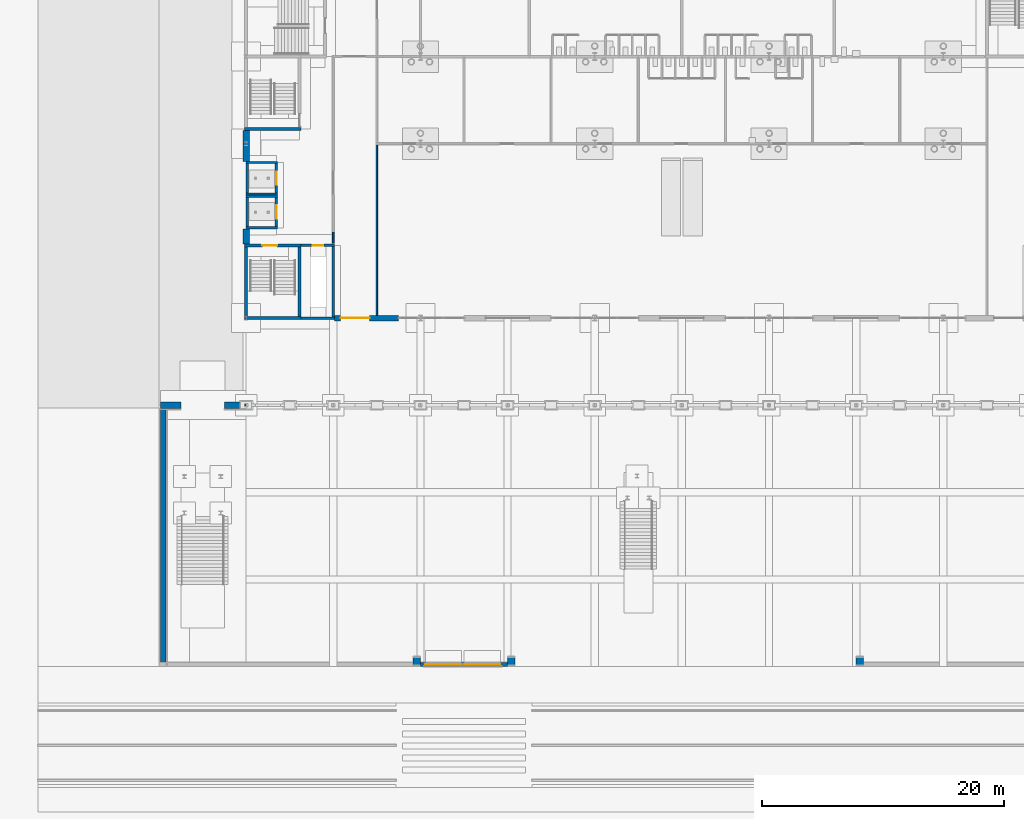
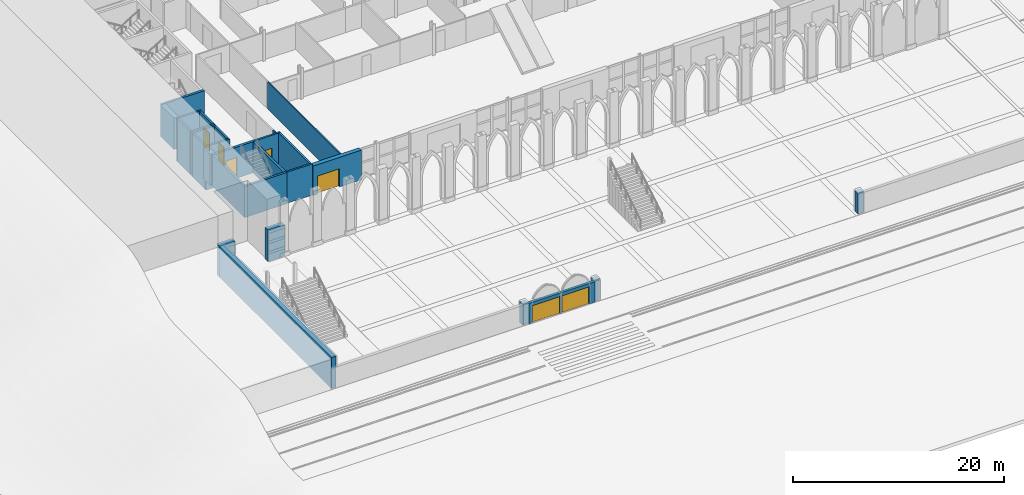
# One storey, part 75 of 148: 28 walls, 7 doors, 7 openings.
"""IFC4 building model written with IfcOpenShell, lengths in metres."""

from ifc_helpers import new_model, si_unit, direction, frame, frame_2d, origin, place, context, subcontext, project, spatial, rectangle, extrude, material, layer, layer_set, type_object, element, fill, save


model = new_model("IFC4")

# Units and contexts
model_context = context("Model", 3, precision=1e-05, world=origin(), true_north=direction((0.0, 1.0)))
body_context = subcontext(model_context, "Body", "Model", "MODEL_VIEW")
ifc_project = project(units=[si_unit("LENGTHUNIT", "METRE"), si_unit("AREAUNIT", "SQUARE_METRE"), si_unit("VOLUMEUNIT", "CUBIC_METRE"), si_unit("PLANEANGLEUNIT", "RADIAN"), si_unit("MASSUNIT", "GRAM", prefix="KILO")], contexts=[model_context])

# Site, building, storey
site_placement = place(None, origin())
site = spatial("IfcSite", under=ifc_project, at=site_placement, CompositionType="ELEMENT")
building_placement = place(site_placement, origin())
building = spatial("IfcBuilding", under=site, at=building_placement, Name="Kupolbacken Congress Centre", CompositionType="ELEMENT")
storey_placement = place(building_placement, origin())
storey = spatial("IfcBuildingStorey", under=building, at=storey_placement, Name="L00", CompositionType="ELEMENT", Elevation=0.0)

# Wall, openings, doors
ifc_material_1 = material(Name="Brick", Category="masonry")
ifc_layer_1 = layer(ifc_material_1, 0.10791015625)
ifc_material_2 = material(Name="Concrete block", Category="masonry")
ifc_layer_2 = layer(ifc_material_2, 0.19189453125)
ifc_layer_set_1 = layer_set([ifc_layer_1, ifc_layer_2], Name="Brick / Concrete block")
wall_type_1 = type_object("IfcWallType", Name="BW1 boundary wall 300", PredefinedType="SOLIDWALL", material=ifc_layer_set_1)
wall_1_placement = place(storey_placement, frame((21.60009765625, 0.175048828125, 0.0), z_axis=(0.0, 0.0, 1.0), x_axis=(1.0, 0.0, 0.0)))
wall_1 = element("IfcWall", 1, at=wall_1_placement, inside=storey, type_object=wall_type_1, Name="Boundary wall at gate CV1", PredefinedType="SOLIDWALL", context=body_context, shape_type="SweptSolid", body=[
    extrude(rectangle(XDim=7.199951171875, YDim=0.300048828125, at=frame_2d((3.60009765625, 0.0))), origin(), (0.0, 0.0, 1.0), 2.39990234375),
])
opening_1_placement = place(wall_1_placement, frame((0.39990234375, 0.0, 0.0)))
opening_1 = element("IfcOpeningElement", 2, at=opening_1_placement, cuts=wall_1, Name="Opening D42", PredefinedType="OPENING", context=body_context, shape_type="SweptSolid", body=[
    extrude(rectangle(XDim=3.0, YDim=2.0, at=frame_2d((1.5, 1.0))), frame((0.0, 0.159912109375, 0.0), z_axis=(0.0, -1.0, 0.0), x_axis=(1.0, 0.0, 0.0)), (0.0, 0.0, 1.0), 0.320068359375),
])
opening_2_placement = place(wall_1_placement, frame((3.60009765625, 0.0, 0.0)))
opening_2 = element("IfcOpeningElement", 3, at=opening_2_placement, cuts=wall_1, Name="Opening D42", PredefinedType="OPENING", context=body_context, shape_type="SweptSolid", body=[
    extrude(rectangle(XDim=3.0, YDim=2.0, at=frame_2d((1.5, 1.0))), frame((0.0, 0.159912109375, 0.0), z_axis=(0.0, -1.0, 0.0), x_axis=(1.0, 0.0, 0.0)), (0.0, 0.0, 1.0), 0.320068359375),
])
ifc_material_3 = material(Name="Galvanised steel gate", Category="steel")
door_type_1 = type_object("IfcDoorType", Name="D42 pedestrian gate 3000x2000", OperationType="DOUBLE_DOOR_SINGLE_SWING", PredefinedType="GATE", material=ifc_material_3)
door_1_placement = place(opening_1_placement, frame((3.0, 0.0, 0.0), z_axis=(0.0, 0.0, 1.0), x_axis=(-1.0, 0.0, 0.0)))
door_1 = element("IfcDoor", 4, at=door_1_placement, inside=storey, type_object=door_type_1, Name="Boundary vehicle gate CV1 leaf A", OperationType="DOUBLE_DOOR_SINGLE_SWING", OverallHeight=2.0, OverallWidth=3.0, PredefinedType="GATE", context=body_context, shape_type="SweptSolid", body=[
    extrude(rectangle(XDim=3.0, YDim=2.0, at=frame_2d((1.5, 1.0))), frame((0.0, 0.02490234375, 0.0), z_axis=(0.0, -1.0, 0.0), x_axis=(1.0, 0.0, 0.0)), (0.0, 0.0, 1.0), 0.050048828125),
])
fill(opening_1, door_1)
door_2_placement = place(opening_2_placement, frame((3.0, 0.0, 0.0), z_axis=(0.0, 0.0, 1.0), x_axis=(-1.0, 0.0, 0.0)))
door_2 = element("IfcDoor", 5, at=door_2_placement, inside=storey, type_object=door_type_1, Name="Boundary vehicle gate CV1 leaf B", OperationType="DOUBLE_DOOR_SINGLE_SWING", OverallHeight=2.0, OverallWidth=3.0, PredefinedType="GATE", context=body_context, shape_type="SweptSolid", body=[
    extrude(rectangle(XDim=3.0, YDim=2.0, at=frame_2d((1.5, 1.0))), frame((0.0, 0.02490234375, 0.0), z_axis=(0.0, -1.0, 0.0), x_axis=(1.0, 0.0, 0.0)), (0.0, 0.0, 1.0), 0.050048828125),
])
fill(opening_2, door_2)

# Wall, opening, door
ifc_material_4 = material(Name="Concrete C40/50", Category="concrete")
ifc_layer_3 = layer(ifc_material_4, 0.1201171875)
ifc_material_5 = material(Name="Mineral wool", Category="insulation")
ifc_layer_4 = layer(ifc_material_5, 0.19189453125)
ifc_material_6 = material(Name="Air cavity", Category="air")
ifc_layer_5 = layer(ifc_material_6, 0.0400390625, ventilated=True)
ifc_layer_6 = layer(ifc_material_1, 0.10791015625)
ifc_layer_set_2 = layer_set([ifc_layer_3, ifc_layer_4, ifc_layer_5, ifc_layer_6], Name="Concrete C40/50 / Mineral wool / Brick")
wall_type_2 = type_object("IfcWallType", Name="EW06 external cavity wall 460", PredefinedType="SOLIDWALL", material=ifc_layer_set_2)
wall_2_placement = place(storey_placement, frame((14.5, 28.800048828125, 0.0), z_axis=(0.0, 0.0, 1.0), x_axis=(1.0, 0.0, 0.0)))
wall_2 = element("IfcWall", 6, at=wall_2_placement, inside=storey, type_object=wall_type_2, Name="E/F/S/L00/029", PredefinedType="SOLIDWALL", context=body_context, shape_type="SweptSolid", body=[
    extrude(rectangle(XDim=5.300048828125, YDim=0.4599609375, at=frame_2d((2.64990234375, 0.0))), origin(), (0.0, 0.0, 1.0), 3.419921875),
])
opening_3_placement = place(wall_2_placement, frame((0.5, 0.0, 0.0)))
opening_3 = element("IfcOpeningElement", 7, at=opening_3_placement, cuts=wall_2, Name="Opening D45", PredefinedType="OPENING", context=body_context, shape_type="SweptSolid", body=[
    extrude(rectangle(XDim=2.39990234375, YDim=2.10009765625, at=frame_2d((1.199951171875, 1.050048828125))), frame((0.0, 0.239990234375, 0.0), z_axis=(0.0, -1.0, 0.0), x_axis=(1.0, 0.0, 0.0)), (0.0, 0.0, 1.0), 0.47998046875),
])
ifc_material_7 = material(Name="Steel fire door leaf", Category="steel")
door_type_2 = type_object("IfcDoorType", Name="D45 stair door 2400x2100", OperationType="DOUBLE_DOOR_SINGLE_SWING", PredefinedType="DOOR", material=ifc_material_7)
door_3_placement = place(opening_3_placement, frame((2.39990234375, 0.0, 0.0), z_axis=(0.0, 0.0, 1.0), x_axis=(-1.0, 0.0, 0.0)))
door_3 = element("IfcDoor", 8, at=door_3_placement, inside=storey, type_object=door_type_2, Name="Final exit X1", OperationType="DOUBLE_DOOR_SINGLE_SWING", OverallHeight=2.10009765625, OverallWidth=2.39990234375, PredefinedType="DOOR", context=body_context, shape_type="SweptSolid", body=[
    extrude(rectangle(XDim=2.39990234375, YDim=2.10009765625, at=frame_2d((1.199951171875, 1.050048828125))), frame((0.0, 0.02490234375, 0.0), z_axis=(0.0, -1.0, 0.0), x_axis=(1.0, 0.0, 0.0)), (0.0, 0.0, 1.0), 0.050048828125),
])
fill(opening_3, door_3)

# Walls
ifc_layer_7 = layer(ifc_material_1, 0.10791015625)
ifc_layer_8 = layer(ifc_material_2, 0.491943359375)
ifc_layer_set_3 = layer_set([ifc_layer_7, ifc_layer_8], Name="Brick / Concrete block")
wall_type_3 = type_object("IfcWallType", Name="GP1 gate pier 600", PredefinedType="SOLIDWALL", material=ifc_layer_set_3)
wall_3_placement = place(storey_placement, frame((21.60009765625, 0.445068359375, 0.0), z_axis=(0.0, 0.0, 1.0), x_axis=(-1.0, 0.0, 0.0)))
element("IfcWall", 9, at=wall_3_placement, inside=storey, type_object=wall_type_3, Name="Boundary gate pier 1", PredefinedType="SOLIDWALL", context=body_context, shape_type="SweptSolid", body=[
    extrude(rectangle(XDim=0.60009765625, YDim=0.60009765625, at=frame_2d((0.300048828125, 0.0))), origin(), (0.0, 0.0, 1.0), 2.39990234375),
])
for number, where, z_axis, x_axis, name in (
    (10, (28.800048828125, 0.445068359375, 0.0), (0.0, 0.0, 1.0), (1.0, 0.0, 0.0), "Boundary gate pier 2"),
    (11, (57.60009765625, 0.445068359375, 0.0), (0.0, 0.0, 1.0), (1.0, 0.0, 0.0), "Boundary gate pier 3"),
):
    element("IfcWall", number, at=place(storey_placement, frame(where, z_axis=z_axis, x_axis=x_axis)), inside=storey, type_object=wall_type_3, Name=name, PredefinedType="SOLIDWALL", context=body_context, shape_type="SweptSolid", body=[
        extrude(rectangle(XDim=0.599853515625, YDim=0.60009765625, at=frame_2d((0.2998046875, 0.0))), origin(), (0.0, 0.0, 1.0), 2.39990234375),
    ])
ifc_material_8 = material(Name="Gypsum board", Category="drywall")
ifc_layer_9 = layer(ifc_material_8, 0.135009765625)
ifc_layer_set_4 = layer_set([ifc_layer_9], Name="Gypsum board")
wall_type_4 = type_object("IfcWallType", Name="P06 compartment wall 135", PredefinedType="PARTITIONING", material=ifc_layer_set_4)
wall_4_placement = place(storey_placement, frame((18.0, 29.030029296875, 0.0), z_axis=(0.0, 0.0, 1.0), x_axis=(0.0, 1.0, 0.0)))
element("IfcWall", 12, at=wall_4_placement, inside=storey, type_object=wall_type_4, Name="PD/L00/W028", PredefinedType="PARTITIONING", context=body_context, shape_type="SweptSolid", body=[
    extrude(rectangle(XDim=14.1025390625, YDim=0.135009765625, at=frame_2d((7.05126953125, 0.0))), origin(), (0.0, 0.0, 1.0), 3.1201171875),
])
wall_5_placement = place(storey_placement, frame((14.39990234375, 35.889892578125, 0.0), z_axis=(0.0, 0.0, 1.0), x_axis=(0.0, -1.0, 0.0)))
element("IfcWall", 13, at=wall_5_placement, inside=storey, type_object=wall_type_4, Name="PD/L00/W001.h1", PredefinedType="PARTITIONING", context=body_context, shape_type="SweptSolid", body=[
    extrude(rectangle(XDim=0.929931640625, YDim=0.135009765625, at=frame_2d((0.46484375, 0.0))), origin(), (0.0, 0.0, 1.0), 3.218994140625),
])
ifc_material_9 = material(Name="Concrete C30/37", Category="concrete")
ifc_layer_10 = layer(ifc_material_9, 0.449951171875)
ifc_layer_set_5 = layer_set([ifc_layer_10], Name="Concrete C30/37")
wall_type_5 = type_object("IfcWallType", Name="RW1 retaining wall 450", PredefinedType="SOLIDWALL", material=ifc_layer_set_5)
wall_6_placement = place(storey_placement, frame((0.35498046875, 0.1298828125, 0.0), z_axis=(0.0, 0.0, 1.0), x_axis=(0.0, 1.0, 0.0)))
element("IfcWall", 14, at=wall_6_placement, inside=storey, type_object=wall_type_5, Name="S/rw/RW5/W1", PredefinedType="SOLIDWALL", context=body_context, shape_type="SweptSolid", body=[
    extrude(rectangle(XDim=21.2451171875, YDim=0.449951171875, at=frame_2d((10.62255859375, 0.0))), origin(), (0.0, 0.0, 1.0), 3.60009765625),
])
ifc_material_10 = material(Name="Concrete C30/37", Category="concrete")
ifc_layer_11 = layer(ifc_material_10, 0.550048828125)
ifc_layer_set_6 = layer_set([ifc_layer_11], Name="Concrete C30/37")
wall_type_6 = type_object("IfcWallType", Name="RW3 retaining wall 550", PredefinedType="SOLIDWALL", material=ifc_layer_set_6)
wall_7_placement = place(storey_placement, frame((0.1298828125, 21.60009765625, 0.0), z_axis=(0.0, 0.0, 1.0), x_axis=(1.0, 0.0, 0.0)))
element("IfcWall", 15, at=wall_7_placement, inside=storey, type_object=wall_type_6, Name="S/rw/RW1/W1", PredefinedType="SOLIDWALL", context=body_context, shape_type="SweptSolid", body=[
    extrude(rectangle(XDim=1.670166015625, YDim=0.550048828125, at=frame_2d((0.8349609375, 0.0))), origin(), (0.0, 0.0, 1.0), 3.60009765625),
])
wall_8_placement = place(storey_placement, frame((5.39990234375, 21.60009765625, 0.0), z_axis=(0.0, 0.0, 1.0), x_axis=(1.0, 0.0, 0.0)))
element("IfcWall", 16, at=wall_8_placement, inside=storey, type_object=wall_type_6, Name="S/rw/RW2/W1", PredefinedType="SOLIDWALL", context=body_context, shape_type="SweptSolid", body=[
    extrude(rectangle(XDim=1.800048828125, YDim=0.550048828125, at=frame_2d((0.89990234375, 0.0))), origin(), (0.0, 0.0, 1.0), 3.60009765625),
])
wall_9_placement = place(storey_placement, frame((7.199951171875, 34.925048828125, 0.0), z_axis=(0.0, 0.0, 1.0), x_axis=(0.0, 1.0, 0.0)))
element("IfcWall", 17, at=wall_9_placement, inside=storey, type_object=wall_type_6, Name="Retaining wall BF05 L00", PredefinedType="SOLIDWALL", context=body_context, shape_type="SweptSolid", body=[
    extrude(rectangle(XDim=1.224853515625, YDim=0.550048828125, at=frame_2d((0.6123046875, 0.0))), origin(), (0.0, 0.0, 1.0), 3.60009765625),
])
wall_10_placement = place(storey_placement, frame((7.199951171875, 41.75, 0.0), z_axis=(0.0, 0.0, 1.0), x_axis=(0.0, 1.0, 0.0)))
element("IfcWall", 18, at=wall_10_placement, inside=storey, type_object=wall_type_6, Name="Retaining wall BF06 L00", PredefinedType="SOLIDWALL", context=body_context, shape_type="SweptSolid", body=[
    extrude(rectangle(XDim=2.52490234375, YDim=0.550048828125, at=frame_2d((1.262451171875, 0.0))), origin(), (0.0, 0.0, 1.0), 3.60009765625),
])
ifc_material_11 = material(Name="Concrete C40/50", Category="concrete")
ifc_layer_12 = layer(ifc_material_11, 0.199951171875)
ifc_layer_set_7 = layer_set([ifc_layer_12], Name="Concrete C40/50")
wall_type_7 = type_object("IfcWallType", Name="WC1 RC shaft wall 200", PredefinedType="SHEAR", material=ifc_layer_set_7)
wall_11_placement = place(storey_placement, frame((11.72509765625, 28.800048828125, 0.0), z_axis=(0.0, 0.0, 1.0), x_axis=(1.0, 0.0, 0.0)))
element("IfcWall", 19, at=wall_11_placement, inside=storey, type_object=wall_type_7, Name="Shaft wall L00-001", PredefinedType="SHEAR", context=body_context, shape_type="SweptSolid", body=[
    extrude(rectangle(XDim=2.77490234375, YDim=0.199951171875, at=frame_2d((1.387451171875, 0.0))), origin(), (0.0, 0.0, 1.0), 3.60009765625),
])
wall_12_placement = place(storey_placement, frame((14.39990234375, 28.699951171875, 0.0), z_axis=(0.0, 0.0, 1.0), x_axis=(0.0, 1.0, 0.0)))
element("IfcWall", 20, at=wall_12_placement, inside=storey, type_object=wall_type_7, Name="Shaft wall L00-003", PredefinedType="SHEAR", context=body_context, shape_type="SweptSolid", body=[
    extrude(rectangle(XDim=6.199951171875, YDim=0.199951171875, at=frame_2d((3.10009765625, 0.0))), origin(), (0.0, 0.0, 1.0), 3.60009765625),
])

# Wall, opening, door
wall_13_placement = place(storey_placement, frame((14.5, 34.800048828125, 0.0), z_axis=(0.0, 0.0, 1.0), x_axis=(-1.0, 0.0, 0.0)))
wall_13 = element("IfcWall", 21, at=wall_13_placement, inside=storey, type_object=wall_type_7, Name="Shaft wall L00-009", PredefinedType="SHEAR", context=body_context, shape_type="SweptSolid", body=[
    extrude(rectangle(XDim=2.77490234375, YDim=0.199951171875, at=frame_2d((1.387451171875, 0.0))), origin(), (0.0, 0.0, 1.0), 3.60009765625),
])
opening_4_placement = place(wall_13_placement, frame((0.949951171875, 0.0, 0.0)))
opening_4 = element("IfcOpeningElement", 22, at=opening_4_placement, cuts=wall_13, Name="Opening 0.F03", PredefinedType="OPENING", context=body_context, shape_type="SweptSolid", body=[
    extrude(rectangle(XDim=0.85009765625, YDim=2.10009765625, at=frame_2d((0.425048828125, 1.050048828125))), frame((0.0, 0.10986328125, 0.0), z_axis=(0.0, -1.0, 0.0), x_axis=(1.0, 0.0, 0.0)), (0.0, 0.0, 1.0), 0.219970703125),
])
ifc_material_12 = material(Name="Steel fire door leaf", Category="steel")
door_type_3 = type_object("IfcDoorType", Name="D3 fire door 850x2100", OperationType="SINGLE_SWING_LEFT", PredefinedType="DOOR", material=ifc_material_12)
door_4_placement = place(opening_4_placement, frame((0.85009765625, 0.0, 0.0), z_axis=(0.0, 0.0, 1.0), x_axis=(-1.0, 0.0, 0.0)))
door_4 = element("IfcDoor", 23, at=door_4_placement, inside=storey, type_object=door_type_3, Name="S/core/L00/009/D0F03", OperationType="SINGLE_SWING_LEFT", OverallHeight=2.10009765625, OverallWidth=0.85009765625, PredefinedType="DOOR", context=body_context, shape_type="SweptSolid", body=[
    extrude(rectangle(XDim=0.85009765625, YDim=2.10009765625, at=frame_2d((0.425048828125, 1.050048828125))), frame((0.0, 0.02490234375, 0.0), z_axis=(0.0, -1.0, 0.0), x_axis=(1.0, 0.0, 0.0)), (0.0, 0.0, 1.0), 0.050048828125),
])
fill(opening_4, door_4)

# Walls
for number, where, z_axis, x_axis, name in (
    (24, (7.199951171875, 36.25, -1.39990234375), (0.0, 0.0, 1.0), (1.0, 0.0, 0.0), "Shaft wall LP1"),
    (25, (7.199951171875, 38.85009765625, -1.39990234375), (0.0, 0.0, 1.0), (1.0, 0.0, 0.0), "Shaft wall LP1"),
):
    element("IfcWall", number, at=place(storey_placement, frame(where, z_axis=z_axis, x_axis=x_axis)), inside=storey, type_object=wall_type_7, Name=name, PredefinedType="SHEAR", context=body_context, shape_type="SweptSolid", body=[
        extrude(rectangle(XDim=2.60009765625, YDim=0.199951171875, at=frame_2d((1.300048828125, 0.0))), origin(), (0.0, 0.0, 1.0), 5.0),
    ])
wall_14_placement = place(storey_placement, frame((7.300048828125, 36.35009765625, -1.39990234375), z_axis=(0.0, 0.0, 1.0), x_axis=(0.0, 1.0, 0.0)))
element("IfcWall", 26, at=wall_14_placement, inside=storey, type_object=wall_type_7, Name="Shaft wall LP1", PredefinedType="SHEAR", context=body_context, shape_type="SweptSolid", body=[
    extrude(rectangle(XDim=2.39990234375, YDim=0.199951171875, at=frame_2d((1.199951171875, 0.0))), origin(), (0.0, 0.0, 1.0), 5.0),
])

# Wall, opening, door
wall_15_placement = place(storey_placement, frame((9.699951171875, 36.35009765625, -1.39990234375), z_axis=(0.0, 0.0, 1.0), x_axis=(0.0, 1.0, 0.0)))
wall_15 = element("IfcWall", 27, at=wall_15_placement, inside=storey, type_object=wall_type_7, Name="Shaft wall LP1", PredefinedType="SHEAR", context=body_context, shape_type="SweptSolid", body=[
    extrude(rectangle(XDim=2.39990234375, YDim=0.199951171875, at=frame_2d((1.199951171875, 0.0))), origin(), (0.0, 0.0, 1.0), 5.0),
])
opening_5_placement = place(wall_15_placement, frame((0.64990234375, 0.0, 1.39990234375)))
opening_5 = element("IfcOpeningElement", 28, at=opening_5_placement, cuts=wall_15, Name="Opening LD2", PredefinedType="OPENING", context=body_context, shape_type="SweptSolid", body=[
    extrude(rectangle(XDim=1.10009765625, YDim=2.10009765625, at=frame_2d((0.550048828125, 1.050048828125))), frame((0.0, 0.10986328125, 0.0), z_axis=(0.0, -1.0, 0.0), x_axis=(1.0, 0.0, 0.0)), (0.0, 0.0, 1.0), 0.219970703125),
])
ifc_material_13 = material(Name="Stainless steel door leaf", Category="steel")
door_type_4 = type_object("IfcDoorType", Name="LD2 lift landing door 1100x2100", OperationType="SLIDING_TO_LEFT", PredefinedType="DOOR", material=ifc_material_13)
door_5_placement = place(opening_5_placement, origin())
door_5 = element("IfcDoor", 29, at=door_5_placement, inside=storey, type_object=door_type_4, Name="Lift landing door LP1", OperationType="SLIDING_TO_LEFT", OverallHeight=2.10009765625, OverallWidth=1.10009765625, PredefinedType="DOOR", context=body_context, shape_type="SweptSolid", body=[
    extrude(rectangle(XDim=1.10009765625, YDim=2.10009765625, at=frame_2d((0.550048828125, 1.050048828125))), frame((0.0, 0.02490234375, 0.0), z_axis=(0.0, -1.0, 0.0), x_axis=(1.0, 0.0, 0.0)), (0.0, 0.0, 1.0), 0.050048828125),
])
fill(opening_5, door_5)

# Walls
for number, where, z_axis, x_axis, name in (
    (30, (7.199951171875, 39.050048828125, -1.39990234375), (0.0, 0.0, 1.0), (1.0, 0.0, 0.0), "Shaft wall LP2"),
    (31, (7.199951171875, 41.64990234375, -1.39990234375), (0.0, 0.0, 1.0), (1.0, 0.0, 0.0), "Shaft wall LP2"),
):
    element("IfcWall", number, at=place(storey_placement, frame(where, z_axis=z_axis, x_axis=x_axis)), inside=storey, type_object=wall_type_7, Name=name, PredefinedType="SHEAR", context=body_context, shape_type="SweptSolid", body=[
        extrude(rectangle(XDim=2.60009765625, YDim=0.199951171875, at=frame_2d((1.300048828125, 0.0))), origin(), (0.0, 0.0, 1.0), 5.0),
    ])
wall_16_placement = place(storey_placement, frame((7.300048828125, 39.14990234375, -1.39990234375), z_axis=(0.0, 0.0, 1.0), x_axis=(0.0, 1.0, 0.0)))
element("IfcWall", 32, at=wall_16_placement, inside=storey, type_object=wall_type_7, Name="Shaft wall LP2", PredefinedType="SHEAR", context=body_context, shape_type="SweptSolid", body=[
    extrude(rectangle(XDim=2.400146484375, YDim=0.199951171875, at=frame_2d((1.2001953125, 0.0))), origin(), (0.0, 0.0, 1.0), 5.0),
])

# Wall, opening, door
wall_17_placement = place(storey_placement, frame((9.699951171875, 39.14990234375, -1.39990234375), z_axis=(0.0, 0.0, 1.0), x_axis=(0.0, 1.0, 0.0)))
wall_17 = element("IfcWall", 33, at=wall_17_placement, inside=storey, type_object=wall_type_7, Name="Shaft wall LP2", PredefinedType="SHEAR", context=body_context, shape_type="SweptSolid", body=[
    extrude(rectangle(XDim=2.400146484375, YDim=0.199951171875, at=frame_2d((1.2001953125, 0.0))), origin(), (0.0, 0.0, 1.0), 5.0),
])
opening_6_placement = place(wall_17_placement, frame((0.64990234375, 0.0, 1.39990234375)))
opening_6 = element("IfcOpeningElement", 34, at=opening_6_placement, cuts=wall_17, Name="Opening LD2", PredefinedType="OPENING", context=body_context, shape_type="SweptSolid", body=[
    extrude(rectangle(XDim=1.10009765625, YDim=2.10009765625, at=frame_2d((0.550048828125, 1.050048828125))), frame((0.0, 0.10986328125, 0.0), z_axis=(0.0, -1.0, 0.0), x_axis=(1.0, 0.0, 0.0)), (0.0, 0.0, 1.0), 0.219970703125),
])
door_6_placement = place(opening_6_placement, origin())
door_6 = element("IfcDoor", 35, at=door_6_placement, inside=storey, type_object=door_type_4, Name="Lift landing door LP2", OperationType="SLIDING_TO_LEFT", OverallHeight=2.10009765625, OverallWidth=1.10009765625, PredefinedType="DOOR", context=body_context, shape_type="SweptSolid", body=[
    extrude(rectangle(XDim=1.10009765625, YDim=2.10009765625, at=frame_2d((0.550048828125, 1.050048828125))), frame((0.0, 0.02490234375, 0.0), z_axis=(0.0, -1.0, 0.0), x_axis=(1.0, 0.0, 0.0)), (0.0, 0.0, 1.0), 0.050048828125),
])
fill(opening_6, door_6)

# Walls
ifc_material_14 = material(Name="Concrete C40/50", Category="concrete")
ifc_layer_13 = layer(ifc_material_14, 0.25)
ifc_layer_set_8 = layer_set([ifc_layer_13], Name="Concrete C40/50")
wall_type_8 = type_object("IfcWallType", Name="WC2 RC stair enclosure wall 250", PredefinedType="SHEAR", material=ifc_layer_set_8)
wall_18_placement = place(storey_placement, frame((7.074951171875, 28.800048828125, 0.0), z_axis=(0.0, 0.0, 1.0), x_axis=(1.0, 0.0, 0.0)))
element("IfcWall", 36, at=wall_18_placement, inside=storey, type_object=wall_type_8, Name="Stair enclosure wall L00-000", PredefinedType="SHEAR", context=body_context, shape_type="SweptSolid", body=[
    extrude(rectangle(XDim=4.650146484375, YDim=0.25, at=frame_2d((2.3251953125, 0.0))), origin(), (0.0, 0.0, 1.0), 3.60009765625),
])
for number, where, z_axis, x_axis, name in (
    (37, (11.60009765625, 28.675048828125, 0.0), (0.0, 0.0, 1.0), (0.0, 1.0, 0.0), "Stair enclosure wall L00-002"),
    (38, (7.199951171875, 34.925048828125, 0.0), (0.0, 0.0, 1.0), (0.0, -1.0, 0.0), "Stair enclosure wall L00-007"),
):
    element("IfcWall", number, at=place(storey_placement, frame(where, z_axis=z_axis, x_axis=x_axis)), inside=storey, type_object=wall_type_8, Name=name, PredefinedType="SHEAR", context=body_context, shape_type="SweptSolid", body=[
        extrude(rectangle(XDim=6.25, YDim=0.25, at=frame_2d((3.125, 0.0))), origin(), (0.0, 0.0, 1.0), 3.60009765625),
    ])

# Wall, opening, door
wall_19_placement = place(storey_placement, frame((11.72509765625, 34.800048828125, 0.0), z_axis=(0.0, 0.0, 1.0), x_axis=(-1.0, 0.0, 0.0)))
wall_19 = element("IfcWall", 39, at=wall_19_placement, inside=storey, type_object=wall_type_8, Name="Stair enclosure wall L00-008", PredefinedType="SHEAR", context=body_context, shape_type="SweptSolid", body=[
    extrude(rectangle(XDim=4.650146484375, YDim=0.25, at=frame_2d((2.3251953125, 0.0))), origin(), (0.0, 0.0, 1.0), 3.60009765625),
])
opening_7_placement = place(wall_19_placement, frame((1.97509765625, 0.0, 0.0)))
opening_7 = element("IfcOpeningElement", 40, at=opening_7_placement, cuts=wall_19, Name="Opening 0.F01", PredefinedType="OPENING", context=body_context, shape_type="SweptSolid", body=[
    extrude(rectangle(XDim=1.199951171875, YDim=2.39990234375, at=frame_2d((0.60009765625, 1.199951171875))), frame((0.0, 0.135009765625, 0.0), z_axis=(0.0, -1.0, 0.0), x_axis=(1.0, 0.0, 0.0)), (0.0, 0.0, 1.0), 0.27001953125),
])
ifc_material_15 = material(Name="Steel fire door leaf", Category="steel")
door_type_5 = type_object("IfcDoorType", Name="D9 fire door 1200x2400", OperationType="SINGLE_SWING_LEFT", PredefinedType="DOOR", material=ifc_material_15)
door_7_placement = place(opening_7_placement, origin())
door_7 = element("IfcDoor", 41, at=door_7_placement, inside=storey, type_object=door_type_5, Name="S/core/L00/008/D0F01", OperationType="SINGLE_SWING_LEFT", OverallHeight=2.39990234375, OverallWidth=1.199951171875, PredefinedType="DOOR", context=body_context, shape_type="SweptSolid", body=[
    extrude(rectangle(XDim=1.199951171875, YDim=2.39990234375, at=frame_2d((0.60009765625, 1.199951171875))), frame((0.0, 0.02490234375, 0.0), z_axis=(0.0, -1.0, 0.0), x_axis=(1.0, 0.0, 0.0)), (0.0, 0.0, 1.0), 0.050048828125),
])
fill(opening_7, door_7)

# Wall
wall_20_placement = place(storey_placement, frame((7.074951171875, 44.39990234375, 0.0), z_axis=(0.0, 0.0, 1.0), x_axis=(1.0, 0.0, 0.0)))
element("IfcWall", 42, at=wall_20_placement, inside=storey, type_object=wall_type_8, Name="Stair enclosure wall L00-014", PredefinedType="SHEAR", context=body_context, shape_type="SweptSolid", body=[
    extrude(rectangle(XDim=4.650146484375, YDim=0.25, at=frame_2d((2.3251953125, 0.0))), origin(), (0.0, 0.0, 1.0), 3.60009765625),
])

save(model, "model.ifc")
